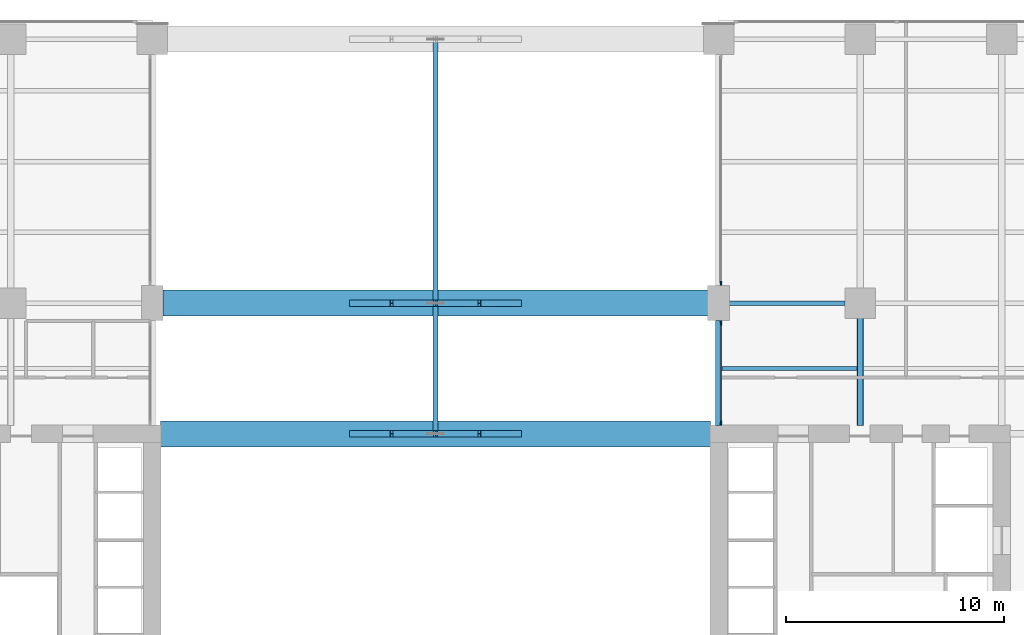
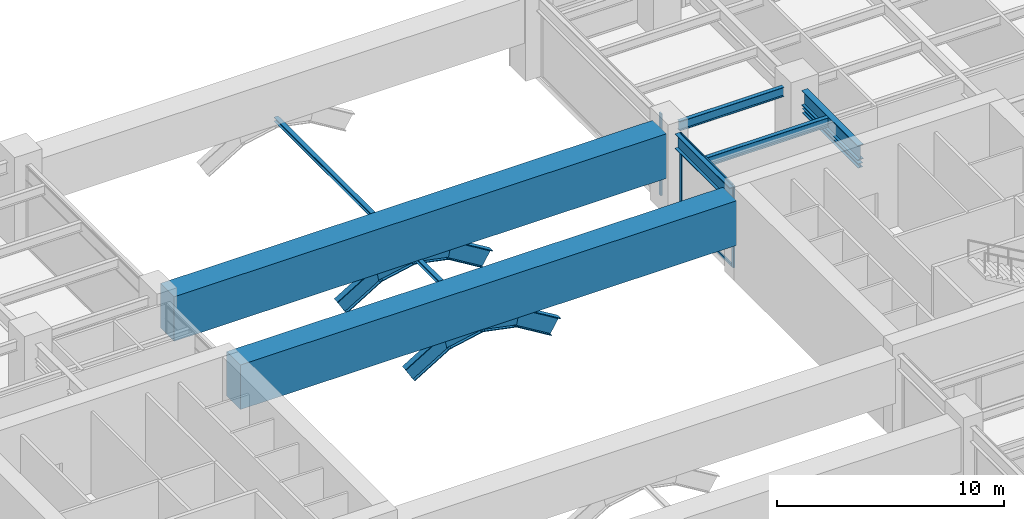
# One storey, part 7 of 23: 15 members, 7 beams, 2 elements without a shape of their own.
"""IFC4 building model written with IfcOpenShell, lengths in metres."""

from ifc_helpers import new_model, si_unit, direction, frame, origin, origin_2d, place, context, subcontext, project, spatial, rectangle, i_section, extrude, material, layer, layer_set, material_profile, profile_set, type_object, element, aggregate, save


model = new_model("IFC4")

# Units and contexts
model_context = context("Model", 3, precision=1e-05, world=origin(), true_north=direction((0.0, 1.0)))
body_context = subcontext(model_context, "Body", "Model", "MODEL_VIEW")
ifc_project = project(units=[si_unit("LENGTHUNIT", "METRE"), si_unit("AREAUNIT", "SQUARE_METRE"), si_unit("VOLUMEUNIT", "CUBIC_METRE"), si_unit("PLANEANGLEUNIT", "RADIAN"), si_unit("MASSUNIT", "GRAM", prefix="KILO")], contexts=[model_context])

# Site, building, storey
site_placement = place(None, origin())
site = spatial("IfcSite", under=ifc_project, at=site_placement, CompositionType="ELEMENT")
building_placement = place(site_placement, origin())
building = spatial("IfcBuilding", under=site, at=building_placement, Name="Putna Gate Headquarters", CompositionType="ELEMENT")
storey_placement = place(building_placement, frame((0.0, 0.0, 17.0)))
storey = spatial("IfcBuildingStorey", under=building, at=storey_placement, Name="L03", CompositionType="ELEMENT", Elevation=17.0)

# Beams
ifc_material_1 = material(Name="Steel S355J2", Category="steel")
ifc_material_profile_1 = material_profile(ifc_material_1, i_section(OverallWidth=0.300048828125, OverallDepth=0.800048828125, WebThickness=0.017578125, FlangeThickness=0.032958984375, at=origin_2d()), Name="Steel S355J2")
ifc_profile_set_1 = profile_set([ifc_material_profile_1], Name="Steel S355J2")
beam_type_1 = type_object("IfcBeamType", Name="BM-GIRD-P-HEB800", PredefinedType="USERDEFINED", material=ifc_profile_set_1)
beam_1_placement = place(storey_placement, frame((52.0, 33.385009765625, 4.0), z_axis=(0.0, 1.0, 0.0), x_axis=(-1.0, 0.0, 0.0)))
element("IfcBeam", 1, at=beam_1_placement, inside=storey, type_object=beam_type_1, Name="L03 North Primary Girder X52-1", ObjectType="GIRDER", PredefinedType="USERDEFINED", context=body_context, shape_type="SweptSolid", body=[
    extrude(i_section(OverallWidth=0.300048828125, OverallDepth=0.800048828125, WebThickness=0.017578125, FlangeThickness=0.032958984375, at=origin_2d()), origin(), (0.0, 0.0, 1.0), 4.826904296875),
])
beam_2_placement = place(storey_placement, frame((58.5, 33.385009765625, 4.0), z_axis=(0.0, 1.0, 0.0), x_axis=(-1.0, 0.0, 0.0)))
element("IfcBeam", 2, at=beam_2_placement, inside=storey, type_object=beam_type_1, Name="L03 North Primary Girder X58-1", ObjectType="GIRDER", PredefinedType="USERDEFINED", context=body_context, shape_type="SweptSolid", body=[
    extrude(i_section(OverallWidth=0.300048828125, OverallDepth=0.800048828125, WebThickness=0.017578125, FlangeThickness=0.032958984375, at=origin_2d()), origin(), (0.0, 0.0, 1.0), 4.927001953125),
])
ifc_material_profile_2 = material_profile(ifc_material_1, i_section(OverallWidth=0.239990234375, OverallDepth=0.239990234375, WebThickness=0.010009765625, FlangeThickness=0.01708984375, at=origin_2d()), Name="Steel S355J2")
ifc_profile_set_2 = profile_set([ifc_material_profile_2], Name="Steel S355J2")
beam_type_2 = type_object("IfcBeamType", Name="BM-LINTEL-HEB240", PredefinedType="LINTEL", material=ifc_profile_set_2)
beam_3_placement = place(storey_placement, frame((58.5, 33.3798828125, 3.300048828125), z_axis=(0.0, 1.0, 0.0), x_axis=(-1.0, 0.0, 0.0)))
element("IfcBeam", 3, at=beam_3_placement, inside=storey, type_object=beam_type_2, Name="L03 Core Spine Portal Header Lintel E", PredefinedType="LINTEL", context=body_context, shape_type="SweptSolid", body=[
    extrude(i_section(OverallWidth=0.239990234375, OverallDepth=0.239990234375, WebThickness=0.010009765625, FlangeThickness=0.01708984375, at=origin_2d()), origin(), (0.0, 0.0, 1.0), 4.940185546875),
])
ifc_material_profile_3 = material_profile(ifc_material_1, i_section(OverallWidth=0.199951171875, OverallDepth=0.5, WebThickness=0.01025390625, FlangeThickness=0.01611328125, at=origin_2d()), Name="Steel S355J2")
ifc_profile_set_3 = profile_set([ifc_material_profile_3], Name="Steel S355J2")
beam_type_3 = type_object("IfcBeamType", Name="BM-SEC-P-IPE500", PredefinedType="BEAM", material=ifc_profile_set_3)
beam_4_placement = place(storey_placement, frame((52.154052734375, 36.0, 4.14990234375), z_axis=(1.0, 0.0, 0.0), x_axis=(0.0, 1.0, 0.0)))
element("IfcBeam", 4, at=beam_4_placement, inside=storey, type_object=beam_type_3, Name="L03 North Secondary Beam 5", PredefinedType="BEAM", context=body_context, shape_type="SweptSolid", body=[
    extrude(i_section(OverallWidth=0.199951171875, OverallDepth=0.5, WebThickness=0.01025390625, FlangeThickness=0.01611328125, at=origin_2d()), origin(), (0.0, 0.0, 1.0), 6.19189453125),
])
beam_5_placement = place(storey_placement, frame((52.488037109375, 39.0, 4.14990234375), z_axis=(1.0, 0.0, 0.0), x_axis=(0.0, 1.0, 0.0)))
element("IfcBeam", 5, at=beam_5_placement, inside=storey, type_object=beam_type_3, Name="L03 North Secondary Beam 5", PredefinedType="BEAM", context=body_context, shape_type="SweptSolid", body=[
    extrude(i_section(OverallWidth=0.199951171875, OverallDepth=0.5, WebThickness=0.01025390625, FlangeThickness=0.01611328125, at=origin_2d()), origin(), (0.0, 0.0, 1.0), 5.323974609375),
])
ifc_material_2 = material(Name="Concrete C50/60", Category="concrete")
ifc_material_profile_4 = material_profile(ifc_material_2, rectangle(XDim=1.199951171875, YDim=2.39990234375, at=origin_2d()), Name="Concrete C50/60")
ifc_profile_set_4 = profile_set([ifc_material_profile_4], Name="Concrete C50/60")
beam_type_4 = type_object("IfcBeamType", Name="BM-TG-RC2400", PredefinedType="USERDEFINED", material=ifc_profile_set_4)
beam_6_placement = place(storey_placement, frame((26.3798828125, 33.0, 3.199951171875), z_axis=(1.0, 0.0, 0.0), x_axis=(0.0, 1.0, 0.0)))
element("IfcBeam", 6, at=beam_6_placement, inside=storey, type_object=beam_type_4, Name="L03 Giant Arch Transfer Girder AN", ObjectType="GIRDER", PredefinedType="USERDEFINED", context=body_context, shape_type="SweptSolid", body=[
    extrude(rectangle(XDim=1.199951171875, YDim=2.39990234375, at=origin_2d()), origin(), (0.0, 0.0, 1.0), 25.240234375),
])
beam_7_placement = place(storey_placement, frame((26.47998046875, 39.0, 3.199951171875), z_axis=(1.0, 0.0, 0.0), x_axis=(0.0, 1.0, 0.0)))
element("IfcBeam", 7, at=beam_7_placement, inside=storey, type_object=beam_type_4, Name="L03 Giant Arch Transfer Girder CN", ObjectType="GIRDER", PredefinedType="USERDEFINED", context=body_context, shape_type="SweptSolid", body=[
    extrude(rectangle(XDim=1.199951171875, YDim=2.39990234375, at=origin_2d()), origin(), (0.0, 0.0, 1.0), 25.0400390625),
])

# Members
ifc_material_3 = material(Name="Steel S460M", Category="steel")
ifc_material_profile_5 = material_profile(ifc_material_3, i_section(OverallWidth=0.302001953125, OverallDepth=0.909912109375, WebThickness=0.02099609375, FlangeThickness=0.0400390625, at=origin_2d()), Name="Steel S460M")
ifc_profile_set_5 = profile_set([ifc_material_profile_5], Name="Steel S460M")
member_type_1 = type_object("IfcMemberType", Name="MEM-ARCH-CHORD-INT-HEM900", PredefinedType="STRUT", material=ifc_profile_set_5)
member_1_placement = place(storey_placement, frame((35.28564453125, 33.0, 0.447998046875), z_axis=(0.855013592355, 0.0, 0.518605588948), x_axis=(0.0, 1.0, 0.0)))
element("IfcMember", 8, at=member_1_placement, inside=storey, type_object=member_type_1, Name="Giant Parabolic Arch Chord AN-6", PredefinedType="STRUT", context=body_context, shape_type="SweptSolid", body=[
    extrude(i_section(OverallWidth=0.302001953125, OverallDepth=0.909912109375, WebThickness=0.02099609375, FlangeThickness=0.0400390625, at=origin_2d()), origin(), (0.0, 0.0, 1.0), 2.172119140625),
])
for number, where, z_axis, x_axis, name in (
    (9, (37.142822265625, 33.0, 1.574462890625), (0.980167187845, 0.0, 0.198172358999), (0.0, 1.0, 0.0), "Giant Parabolic Arch Chord AN-7"),
    (10, (39.0, 33.0, 1.949951171875), (0.980167187845, 0.0, -0.198172358999), (0.0, 1.0, 0.0), "Giant Parabolic Arch Chord AN-8"),
):
    element("IfcMember", number, at=place(storey_placement, frame(where, z_axis=z_axis, x_axis=x_axis)), inside=storey, type_object=member_type_1, Name=name, PredefinedType="STRUT", context=body_context, shape_type="SweptSolid", body=[
        extrude(i_section(OverallWidth=0.302001953125, OverallDepth=0.909912109375, WebThickness=0.02099609375, FlangeThickness=0.0400390625, at=origin_2d()), origin(), (0.0, 0.0, 1.0), 1.894775390625),
    ])
for number, where, z_axis, x_axis, name in (
    (11, (40.857177734375, 33.0, 1.574462890625), (0.855013592355, 0.0, -0.518605588948), (0.0, 1.0, 0.0), "Giant Parabolic Arch Chord AN-9"),
    (12, (35.28564453125, 39.0, 0.447998046875), (0.855013592355, 0.0, 0.518605588948), (0.0, 1.0, 0.0), "Giant Parabolic Arch Chord CN-6"),
):
    element("IfcMember", number, at=place(storey_placement, frame(where, z_axis=z_axis, x_axis=x_axis)), inside=storey, type_object=member_type_1, Name=name, PredefinedType="STRUT", context=body_context, shape_type="SweptSolid", body=[
        extrude(i_section(OverallWidth=0.302001953125, OverallDepth=0.909912109375, WebThickness=0.02099609375, FlangeThickness=0.0400390625, at=origin_2d()), origin(), (0.0, 0.0, 1.0), 2.172119140625),
    ])
for number, where, z_axis, x_axis, name in (
    (13, (37.142822265625, 39.0, 1.574462890625), (0.980167187845, 0.0, 0.198172358999), (0.0, 1.0, 0.0), "Giant Parabolic Arch Chord CN-7"),
    (14, (39.0, 39.0, 1.949951171875), (0.980167187845, 0.0, -0.198172358999), (0.0, 1.0, 0.0), "Giant Parabolic Arch Chord CN-8"),
):
    element("IfcMember", number, at=place(storey_placement, frame(where, z_axis=z_axis, x_axis=x_axis)), inside=storey, type_object=member_type_1, Name=name, PredefinedType="STRUT", context=body_context, shape_type="SweptSolid", body=[
        extrude(i_section(OverallWidth=0.302001953125, OverallDepth=0.909912109375, WebThickness=0.02099609375, FlangeThickness=0.0400390625, at=origin_2d()), origin(), (0.0, 0.0, 1.0), 1.894775390625),
    ])
member_2_placement = place(storey_placement, frame((40.857177734375, 39.0, 1.574462890625), z_axis=(0.855013592355, 0.0, -0.518605588948), x_axis=(0.0, 1.0, 0.0)))
element("IfcMember", 15, at=member_2_placement, inside=storey, type_object=member_type_1, Name="Giant Parabolic Arch Chord CN-9", PredefinedType="STRUT", context=body_context, shape_type="SweptSolid", body=[
    extrude(i_section(OverallWidth=0.302001953125, OverallDepth=0.909912109375, WebThickness=0.02099609375, FlangeThickness=0.0400390625, at=origin_2d()), origin(), (0.0, 0.0, 1.0), 2.172119140625),
])
ifc_material_profile_6 = material_profile(ifc_material_3, i_section(OverallWidth=0.219970703125, OverallDepth=0.219970703125, WebThickness=0.009521484375, FlangeThickness=0.01611328125, at=origin_2d()), Name="Steel S460M")
ifc_profile_set_6 = profile_set([ifc_material_profile_6], Name="Steel S460M")
member_type_2 = type_object("IfcMemberType", Name="MEM-ARCH-TIE-HEB220", PredefinedType="STRUT", material=ifc_profile_set_6)
member_3_placement = place(storey_placement, frame((39.0, 33.010009765625, 1.89990234375), z_axis=(0.0, 1.0, 0.0), x_axis=(-1.0, 0.0, 0.0)))
element("IfcMember", 16, at=member_3_placement, inside=storey, type_object=member_type_2, Name="Giant Arch Crown Tie Strut 3", PredefinedType="STRUT", context=body_context, shape_type="SweptSolid", body=[
    extrude(i_section(OverallWidth=0.219970703125, OverallDepth=0.219970703125, WebThickness=0.009521484375, FlangeThickness=0.01611328125, at=origin_2d()), origin(), (0.0, 0.0, 1.0), 5.97998046875),
])
member_4_placement = place(storey_placement, frame((39.0, 39.010009765625, 1.89990234375), z_axis=(0.0, 1.0, 0.0), x_axis=(-1.0, 0.0, 0.0)))
element("IfcMember", 17, at=member_4_placement, inside=storey, type_object=member_type_2, Name="Giant Arch Crown Tie Strut 4", PredefinedType="STRUT", context=body_context, shape_type="SweptSolid", body=[
    extrude(i_section(OverallWidth=0.219970703125, OverallDepth=0.219970703125, WebThickness=0.009521484375, FlangeThickness=0.01611328125, at=origin_2d()), origin(), (0.0, 0.0, 1.0), 12.10009765625),
])

# Curtain wall, members
ifc_material_4 = material(Name="Anodised bronze aluminium curtain wall", Category="aluminium")
ifc_layer = layer(ifc_material_4, 0.179931640625)
ifc_layer_set = layer_set([ifc_layer], Name="Anodised bronze aluminium curtain wall")
curtain_wall_type = type_object("IfcCurtainWallType", Name="CW-SYS-ATR", PredefinedType="USERDEFINED", material=ifc_layer_set)
curtain_wall_1_placement = place(storey_placement, origin())
curtain_wall_1 = element("IfcCurtainWall", 18, at=curtain_wall_1_placement, inside=storey, type_object=curtain_wall_type, Name="L03 Arch Flank Glazing E-N1", ObjectType="ATRIUM GLAZING", PredefinedType="USERDEFINED")
ifc_material_5 = material(Name="Anodised bronze aluminium EN AW-6060", Category="aluminium")
ifc_material_profile_7 = material_profile(ifc_material_5, rectangle(XDim=0.070068359375, YDim=0.179931640625, at=origin_2d()), Name="Anodised bronze aluminium EN AW-6060")
ifc_profile_set_7 = profile_set([ifc_material_profile_7], Name="Anodised bronze aluminium EN AW-6060")
member_type_3 = type_object("IfcMemberType", Name="MULL-CWM-AT", PredefinedType="MULLION", material=ifc_profile_set_7)
member_5_placement = place(storey_placement, frame((52.10009765625, 33.514892578125, 0.0), z_axis=(0.0, 0.0, 1.0), x_axis=(-1.0, 0.0, 0.0)))
member_5 = element("IfcMember", 19, at=member_5_placement, type_object=member_type_3, Name="CWS-AT mullion 1", PredefinedType="MULLION", context=body_context, shape_type="SweptSolid", body=[
    extrude(rectangle(XDim=0.070068359375, YDim=0.179931640625, at=origin_2d()), origin(), (0.0, 0.0, 1.0), 4.39990234375),
])
member_6_placement = place(storey_placement, frame((52.10009765625, 38.0849609375, 0.0), z_axis=(0.0, 0.0, 1.0), x_axis=(-1.0, 0.0, 0.0)))
member_6 = element("IfcMember", 20, at=member_6_placement, type_object=member_type_3, Name="CWS-AT mullion 2", PredefinedType="MULLION", context=body_context, shape_type="SweptSolid", body=[
    extrude(rectangle(XDim=0.070068359375, YDim=0.179931640625, at=origin_2d()), origin(), (0.0, 0.0, 1.0), 4.39990234375),
])

# Curtain wall, member
curtain_wall_2_placement = place(storey_placement, origin())
curtain_wall_2 = element("IfcCurtainWall", 21, at=curtain_wall_2_placement, inside=storey, type_object=curtain_wall_type, Name="L03 Arch Flank Glazing E-N2", ObjectType="ATRIUM GLAZING", PredefinedType="USERDEFINED")
member_7_placement = place(storey_placement, frame((52.10009765625, 39.9150390625, 0.0), z_axis=(0.0, 0.0, 1.0), x_axis=(-1.0, 0.0, 0.0)))
member_7 = element("IfcMember", 22, at=member_7_placement, type_object=member_type_3, Name="CWS-AT mullion 1", PredefinedType="MULLION", context=body_context, shape_type="SweptSolid", body=[
    extrude(rectangle(XDim=0.070068359375, YDim=0.179931640625, at=origin_2d()), origin(), (0.0, 0.0, 1.0), 4.39990234375),
])
aggregate(curtain_wall_2, [member_7])

# Member
ifc_material_profile_8 = material_profile(ifc_material_5, rectangle(XDim=0.070068359375, YDim=0.139892578125, at=origin_2d()), Name="Anodised bronze aluminium EN AW-6060")
ifc_profile_set_8 = profile_set([ifc_material_profile_8], Name="Anodised bronze aluminium EN AW-6060")
member_type_4 = type_object("IfcMemberType", Name="TRAN-CWT-AT", PredefinedType="USERDEFINED", material=ifc_profile_set_8)
member_8_placement = place(storey_placement, frame((52.10009765625, 33.550048828125, 0.034912109375), z_axis=(0.0, 1.0, 0.0), x_axis=(-1.0, 0.0, 0.0)))
member_8 = element("IfcMember", 23, at=member_8_placement, type_object=member_type_4, Name="CWS-AT transom 1.1", ObjectType="TRANSOM", PredefinedType="USERDEFINED", context=body_context, shape_type="SweptSolid", body=[
    extrude(rectangle(XDim=0.070068359375, YDim=0.139892578125, at=origin_2d()), origin(), (0.0, 0.0, 1.0), 4.5),
])

member_9_placement = place(storey_placement, frame((52.10009765625, 33.550048828125, 4.364990234375), z_axis=(0.0, 1.0, 0.0), x_axis=(-1.0, 0.0, 0.0)))
member_9 = element("IfcMember", 24, at=member_9_placement, type_object=member_type_4, Name="CWS-AT transom 1.2", ObjectType="TRANSOM", PredefinedType="USERDEFINED", context=body_context, shape_type="SweptSolid", body=[
    extrude(rectangle(XDim=0.070068359375, YDim=0.139892578125, at=origin_2d()), origin(), (0.0, 0.0, 1.0), 4.5),
])

aggregate(curtain_wall_1, [member_5, member_6, member_8, member_9])

save(model, "model.ifc")
